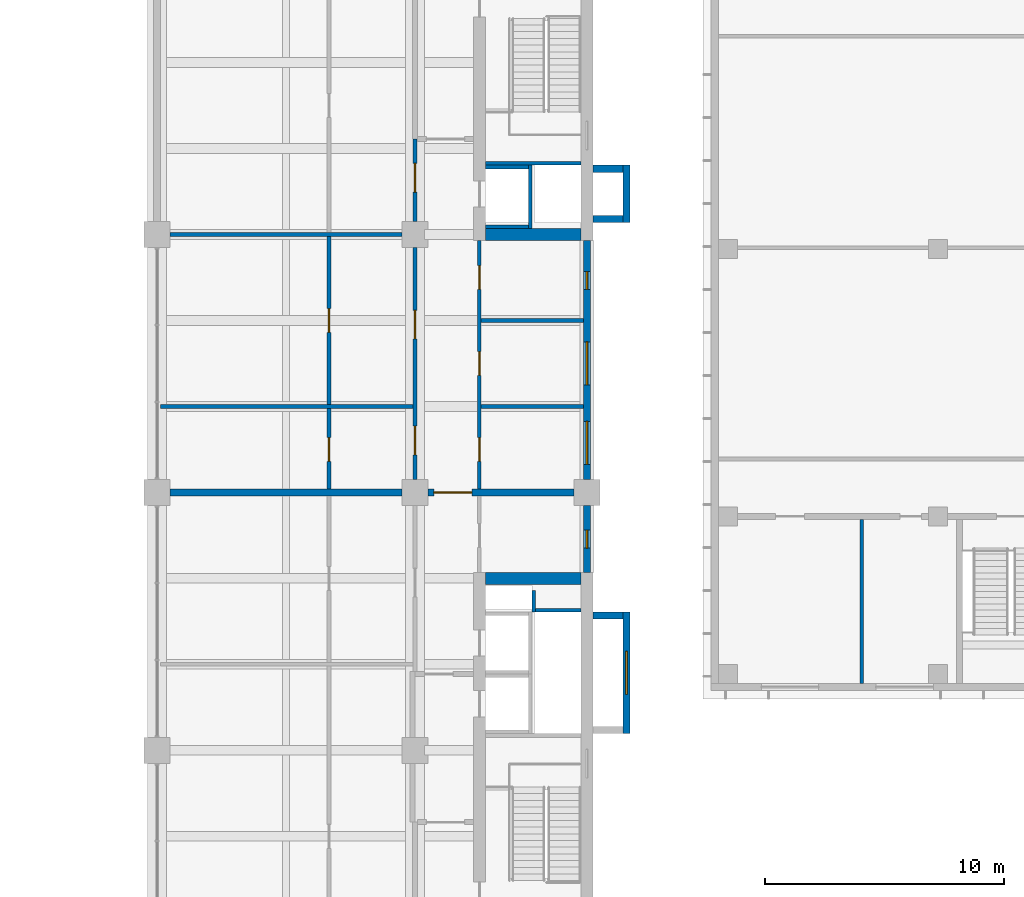
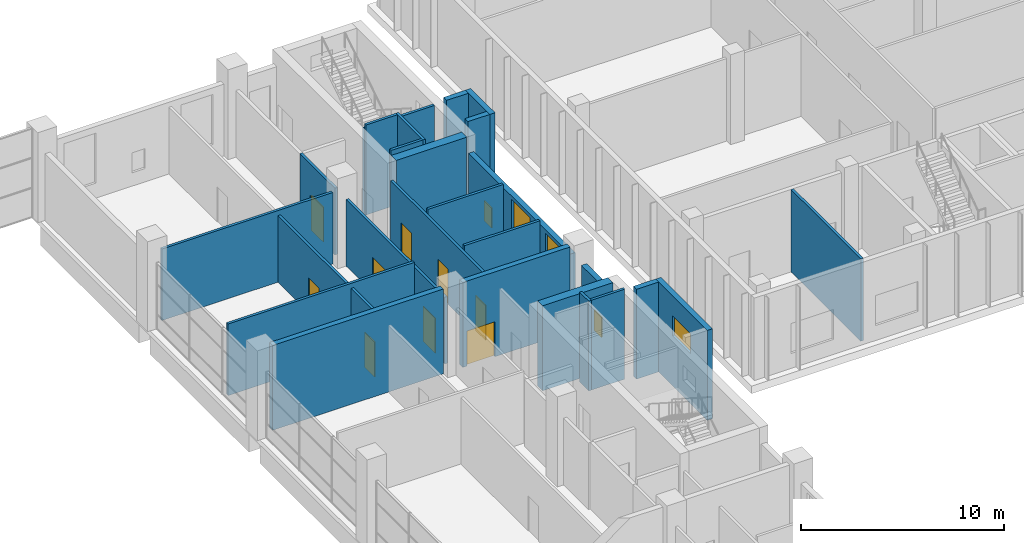
# One storey, part 23 of 33: 27 walls, 9 doors, 5 windows, 14 openings.
"""IFC4 building model written with IfcOpenShell, lengths in metres."""

from ifc_helpers import new_model, si_unit, direction, frame, frame_2d, origin, place, context, subcontext, project, spatial, rectangle, extrude, material, layer, layer_set, type_object, element, fill, save


model = new_model("IFC4")

# Units and contexts
model_context = context("Model", 3, precision=1e-05, world=origin(), true_north=direction((0.0, 1.0)))
body_context = subcontext(model_context, "Body", "Model", "MODEL_VIEW")
ifc_project = project(units=[si_unit("LENGTHUNIT", "METRE"), si_unit("AREAUNIT", "SQUARE_METRE"), si_unit("VOLUMEUNIT", "CUBIC_METRE"), si_unit("PLANEANGLEUNIT", "RADIAN"), si_unit("MASSUNIT", "GRAM", prefix="KILO")], contexts=[model_context])

# Site, building, storey
site_placement = place(None, origin())
site = spatial("IfcSite", under=ifc_project, at=site_placement, CompositionType="ELEMENT")
building_placement = place(site_placement, origin())
building = spatial("IfcBuilding", under=site, at=building_placement, Name="Basin Gate Institute", CompositionType="ELEMENT")
storey_placement = place(building_placement, frame((0.0, 0.0, 6.0)))
storey = spatial("IfcBuildingStorey", under=building, at=storey_placement, Name="L01", CompositionType="ELEMENT", Elevation=6.0)

# Wall
ifc_material_1 = material(Name="Gypsum board partition on steel studs, 60 minute", Category="steel")
ifc_layer_1 = layer(ifc_material_1, 0.14990234375)
ifc_layer_set_1 = layer_set([ifc_layer_1], Name="Gypsum board partition on steel studs, 60 minute")
wall_type_1 = type_object("IfcWallType", Name="Clean block partition PW72 EI 60", PredefinedType="SOLIDWALL", material=ifc_layer_set_1)
wall_1_placement = place(storey_placement, frame((130.300048828125, 70.300048828125, 0.0), z_axis=(0.0, 0.0, 1.0), x_axis=(0.0, 1.0, 0.0)))
element("IfcWall", 1, at=wall_1_placement, inside=storey, type_object=wall_type_1, material=ifc_layer_set_1, Name="Clean block partition Cy13030-13 L01", PredefinedType="SOLIDWALL", context=body_context, shape_type="SweptSolid", body=[
    extrude(rectangle(XDim=6.875, YDim=0.14990234375, at=frame_2d((3.4375, 0.0))), origin(), (0.0, 0.0, 1.0), 4.949951171875),
])

# Wall, opening, window
ifc_material_2 = material(Name="Aluminium-faced insulated panel wall", Category="aluminium")
ifc_layer_2 = layer(ifc_material_2, 0.300048828125)
ifc_layer_set_2 = layer_set([ifc_layer_2], Name="External wall EW1 EI 120")
wall_type_2 = type_object("IfcWallType", Name="External wall EW1 EI 120", PredefinedType="STANDARD", material=ifc_layer_set_2)
wall_2_placement = place(storey_placement, frame((118.800048828125, 74.949951171875, 0.0), z_axis=(0.0, 0.0, 1.0), x_axis=(0.0, 1.0, 0.0)))
wall_2 = element("IfcWall", 2, at=wall_2_placement, inside=storey, type_object=wall_type_2, material=ifc_layer_set_2, Name="External wall E facade L01 3", PredefinedType="STANDARD", context=body_context, shape_type="SweptSolid", body=[
    extrude(rectangle(XDim=2.800048828125, YDim=0.300048828125, at=frame_2d((1.39990234375, 0.0))), origin(), (0.0, 0.0, 1.0), 4.10009765625),
])
opening_1_placement = place(wall_2_placement, frame((1.02490234375, 0.0, 0.800048828125)))
opening_1 = element("IfcOpeningElement", 3, at=opening_1_placement, cuts=wall_2, Name="Opening WN3", PredefinedType="OPENING", context=body_context, shape_type="SweptSolid", body=[
    extrude(rectangle(XDim=0.75, YDim=1.199951171875, at=frame_2d((0.375, 0.60009765625))), frame((0.0, 0.16015625, 0.0), z_axis=(0.0, -1.0, 0.0), x_axis=(1.0, 0.0, 0.0)), (0.0, 0.0, 1.0), 0.320068359375),
])
ifc_material_3 = material(Name="Aluminium-framed double glazing", Category="aluminium")
window_type_1 = type_object("IfcWindowType", Name="Emergency entry panel WN3", PartitioningType="SINGLE_PANEL", PredefinedType="WINDOW", material=ifc_material_3)
window_1_placement = place(opening_1_placement, origin())
window_1 = element("IfcWindow", 4, at=window_1_placement, inside=storey, type_object=window_type_1, material=ifc_material_3, Name="Emergency entry panel E facade L01 bay 12", OverallHeight=1.199951171875, OverallWidth=0.75, PartitioningType="SINGLE_PANEL", PredefinedType="WINDOW", context=body_context, shape_type="SweptSolid", body=[
    extrude(rectangle(XDim=0.75, YDim=1.199951171875, at=frame_2d((0.375, 0.60009765625))), frame((0.0, 0.030029296875, 0.0), z_axis=(0.0, -1.0, 0.0), x_axis=(1.0, 0.0, 0.0)), (0.0, 0.0, 1.0), 0.06005859375),
])
fill(opening_1, window_1)

# Wall, openings, windows
wall_3_placement = place(storey_placement, frame((118.800048828125, 78.85009765625, 0.0), z_axis=(0.0, 0.0, 1.0), x_axis=(0.0, 1.0, 0.0)))
wall_3 = element("IfcWall", 5, at=wall_3_placement, inside=storey, type_object=wall_type_2, material=ifc_layer_set_2, Name="External wall E facade L01 4", PredefinedType="STANDARD", context=body_context, shape_type="SweptSolid", body=[
    extrude(rectangle(XDim=10.0, YDim=0.300048828125, at=frame_2d((5.0, 0.0))), origin(), (0.0, 0.0, 1.0), 4.10009765625),
])
opening_2_placement = place(wall_3_placement, frame((0.625, 0.0, 0.89990234375)))
opening_2 = element("IfcOpeningElement", 6, at=opening_2_placement, cuts=wall_3, Name="Opening WN2", PredefinedType="OPENING", context=body_context, shape_type="SweptSolid", body=[
    extrude(rectangle(XDim=1.800048828125, YDim=3.0, at=frame_2d((0.89990234375, 1.5))), frame((0.0, 0.16015625, 0.0), z_axis=(0.0, -1.0, 0.0), x_axis=(1.0, 0.0, 0.0)), (0.0, 0.0, 1.0), 0.320068359375),
])
opening_3_placement = place(wall_3_placement, frame((3.949951171875, 0.0, 0.89990234375)))
opening_3 = element("IfcOpeningElement", 7, at=opening_3_placement, cuts=wall_3, Name="Opening WN2", PredefinedType="OPENING", context=body_context, shape_type="SweptSolid", body=[
    extrude(rectangle(XDim=1.800048828125, YDim=3.0, at=frame_2d((0.89990234375, 1.5))), frame((0.0, 0.16015625, 0.0), z_axis=(0.0, -1.0, 0.0), x_axis=(1.0, 0.0, 0.0)), (0.0, 0.0, 1.0), 0.320068359375),
])
opening_4_placement = place(wall_3_placement, frame((7.949951171875, 0.0, 0.800048828125)))
opening_4 = element("IfcOpeningElement", 8, at=opening_4_placement, cuts=wall_3, Name="Opening WN3", PredefinedType="OPENING", context=body_context, shape_type="SweptSolid", body=[
    extrude(rectangle(XDim=0.75, YDim=1.199951171875, at=frame_2d((0.375, 0.60009765625))), frame((0.0, 0.16015625, 0.0), z_axis=(0.0, -1.0, 0.0), x_axis=(1.0, 0.0, 0.0)), (0.0, 0.0, 1.0), 0.320068359375),
])
window_2_placement = place(opening_4_placement, origin())
window_2 = element("IfcWindow", 9, at=window_2_placement, inside=storey, type_object=window_type_1, material=ifc_material_3, Name="Emergency entry panel E facade L01 bay 15", OverallHeight=1.199951171875, OverallWidth=0.75, PartitioningType="SINGLE_PANEL", PredefinedType="WINDOW", context=body_context, shape_type="SweptSolid", body=[
    extrude(rectangle(XDim=0.75, YDim=1.199951171875, at=frame_2d((0.375, 0.60009765625))), frame((0.0, 0.030029296875, 0.0), z_axis=(0.0, -1.0, 0.0), x_axis=(1.0, 0.0, 0.0)), (0.0, 0.0, 1.0), 0.06005859375),
])
fill(opening_4, window_2)
ifc_material_4 = material(Name="Aluminium-framed double glazing", Category="aluminium")
window_type_2 = type_object("IfcWindowType", Name="Podium window WN2", PartitioningType="SINGLE_PANEL", PredefinedType="WINDOW", material=ifc_material_4)
window_3_placement = place(opening_2_placement, origin())
window_3 = element("IfcWindow", 10, at=window_3_placement, inside=storey, type_object=window_type_2, material=ifc_material_4, Name="Podium window E facade L01 bay 13", OverallHeight=3.0, OverallWidth=1.800048828125, PartitioningType="SINGLE_PANEL", PredefinedType="WINDOW", context=body_context, shape_type="SweptSolid", body=[
    extrude(rectangle(XDim=1.800048828125, YDim=3.0, at=frame_2d((0.89990234375, 1.5))), frame((0.0, 0.030029296875, 0.0), z_axis=(0.0, -1.0, 0.0), x_axis=(1.0, 0.0, 0.0)), (0.0, 0.0, 1.0), 0.06005859375),
])
fill(opening_2, window_3)
window_4_placement = place(opening_3_placement, origin())
window_4 = element("IfcWindow", 11, at=window_4_placement, inside=storey, type_object=window_type_2, material=ifc_material_4, Name="Podium window E facade L01 bay 14", OverallHeight=3.0, OverallWidth=1.800048828125, PartitioningType="SINGLE_PANEL", PredefinedType="WINDOW", context=body_context, shape_type="SweptSolid", body=[
    extrude(rectangle(XDim=1.800048828125, YDim=3.0, at=frame_2d((0.89990234375, 1.5))), frame((0.0, 0.030029296875, 0.0), z_axis=(0.0, -1.0, 0.0), x_axis=(1.0, 0.0, 0.0)), (0.0, 0.0, 1.0), 0.06005859375),
])
fill(opening_3, window_4)

# Wall, openings, doors
ifc_material_5 = material(Name="Gypsum board on steel stud", Category="steel")
ifc_layer_3 = layer(ifc_material_5, 0.14990234375)
ifc_layer_set_3 = layer_set([ifc_layer_3], Name="Gypsum board on steel stud")
wall_type_3 = type_object("IfcWallType", Name="Partition PW1 150 EI 60", PredefinedType="PARTITIONING", material=ifc_layer_set_3)
wall_4_placement = place(storey_placement, frame((114.300048828125, 78.449951171875, 0.0), z_axis=(0.0, 0.0, 1.0), x_axis=(0.0, 1.0, 0.0)))
wall_4 = element("IfcWall", 12, at=wall_4_placement, inside=storey, type_object=wall_type_3, material=ifc_layer_set_3, Name="Corridor wall PW1 L01", PredefinedType="PARTITIONING", context=body_context, shape_type="SweptSolid", body=[
    extrude(rectangle(XDim=10.400146484375, YDim=0.14990234375, at=frame_2d((5.2001953125, 0.0))), origin(), (0.0, 0.0, 1.0), 4.0),
])
opening_5_placement = place(wall_4_placement, frame((8.35009765625, 0.0, 0.0)))
opening_5 = element("IfcOpeningElement", 13, at=opening_5_placement, cuts=wall_4, Name="Opening DR052", PredefinedType="OPENING", context=body_context, shape_type="SweptSolid", body=[
    extrude(rectangle(XDim=1.0, YDim=2.10009765625, at=frame_2d((0.5, 1.050048828125))), frame((0.0, 0.0849609375, 0.0), z_axis=(0.0, -1.0, 0.0), x_axis=(1.0, 0.0, 0.0)), (0.0, 0.0, 1.0), 0.169921875),
])
opening_6_placement = place(wall_4_placement, frame((1.14990234375, 0.0, 0.0)))
opening_6 = element("IfcOpeningElement", 14, at=opening_6_placement, cuts=wall_4, Name="Opening DR060", PredefinedType="OPENING", context=body_context, shape_type="SweptSolid", body=[
    extrude(rectangle(XDim=1.0, YDim=2.10009765625, at=frame_2d((0.5, 1.050048828125))), frame((0.0, 0.0849609375, 0.0), z_axis=(0.0, -1.0, 0.0), x_axis=(1.0, 0.0, 0.0)), (0.0, 0.0, 1.0), 0.169921875),
])
opening_7_placement = place(wall_4_placement, frame((4.75, 0.0, 0.0)))
opening_7 = element("IfcOpeningElement", 15, at=opening_7_placement, cuts=wall_4, Name="Opening DR064", PredefinedType="OPENING", context=body_context, shape_type="SweptSolid", body=[
    extrude(rectangle(XDim=1.0, YDim=2.10009765625, at=frame_2d((0.5, 1.050048828125))), frame((0.0, 0.0849609375, 0.0), z_axis=(0.0, -1.0, 0.0), x_axis=(1.0, 0.0, 0.0)), (0.0, 0.0, 1.0), 0.169921875),
])
ifc_material_6 = material(Name="Steel fire door", Category="steel")
door_type_1 = type_object("IfcDoorType", Name="FD30 Store door D4", OperationType="NOTDEFINED", PredefinedType="DOOR", material=ifc_material_6)
door_1_placement = place(opening_7_placement, frame((1.0, 0.0, 0.0), z_axis=(0.0, 0.0, 1.0), x_axis=(-1.0, 0.0, 0.0)))
door_1 = element("IfcDoor", 16, at=door_1_placement, inside=storey, type_object=door_type_1, material=ifc_material_6, Name="Door to Tea Point L01", OperationType="SINGLE_SWING_RIGHT", OverallHeight=2.10009765625, OverallWidth=1.0, PredefinedType="DOOR", context=body_context, shape_type="SweptSolid", body=[
    extrude(rectangle(XDim=1.0, YDim=2.10009765625, at=frame_2d((0.5, 1.050048828125))), frame((0.0, 0.02490234375, 0.0), z_axis=(0.0, -1.0, 0.0), x_axis=(1.0, 0.0, 0.0)), (0.0, 0.0, 1.0), 0.050048828125),
])
fill(opening_7, door_1)
ifc_material_7 = material(Name="Timber fire door", Category="wood")
door_type_2 = type_object("IfcDoorType", Name="FD30 Toilet door D3", OperationType="NOTDEFINED", PredefinedType="DOOR", material=ifc_material_7)
door_2_placement = place(opening_5_placement, frame((1.0, 0.0, 0.0), z_axis=(0.0, 0.0, 1.0), x_axis=(-1.0, 0.0, 0.0)))
door_2 = element("IfcDoor", 17, at=door_2_placement, inside=storey, type_object=door_type_2, material=ifc_material_7, Name="Door to Female WC L01", OperationType="SINGLE_SWING_LEFT", OverallHeight=2.10009765625, OverallWidth=1.0, PredefinedType="DOOR", context=body_context, shape_type="SweptSolid", body=[
    extrude(rectangle(XDim=1.0, YDim=2.10009765625, at=frame_2d((0.5, 1.050048828125))), frame((0.0, 0.02490234375, 0.0), z_axis=(0.0, -1.0, 0.0), x_axis=(1.0, 0.0, 0.0)), (0.0, 0.0, 1.0), 0.050048828125),
])
fill(opening_5, door_2)
door_3_placement = place(opening_6_placement, frame((1.0, 0.0, 0.0), z_axis=(0.0, 0.0, 1.0), x_axis=(-1.0, 0.0, 0.0)))
door_3 = element("IfcDoor", 18, at=door_3_placement, inside=storey, type_object=door_type_2, material=ifc_material_7, Name="Door to Male WC L01", OperationType="SINGLE_SWING_RIGHT", OverallHeight=2.10009765625, OverallWidth=1.0, PredefinedType="DOOR", context=body_context, shape_type="SweptSolid", body=[
    extrude(rectangle(XDim=1.0, YDim=2.10009765625, at=frame_2d((0.5, 1.050048828125))), frame((0.0, 0.02490234375, 0.0), z_axis=(0.0, -1.0, 0.0), x_axis=(1.0, 0.0, 0.0)), (0.0, 0.0, 1.0), 0.050048828125),
])
fill(opening_6, door_3)

wall_5_placement = place(storey_placement, frame((111.60009765625, 78.85009765625, 0.0), z_axis=(0.0, 0.0, 1.0), x_axis=(0.0, 1.0, 0.0)))
wall_5 = element("IfcWall", 19, at=wall_5_placement, inside=storey, type_object=wall_type_3, material=ifc_layer_set_3, Name="Laboratory corridor wall PW1 L01", PredefinedType="PARTITIONING", context=body_context, shape_type="SweptSolid", body=[
    extrude(rectangle(XDim=9.699951171875, YDim=0.14990234375, at=frame_2d((4.85009765625, 0.0))), origin(), (0.0, 0.0, 1.0), 4.0),
])
opening_8_placement = place(wall_5_placement, frame((1.02490234375, 0.0, 0.0)))
opening_8 = element("IfcOpeningElement", 20, at=opening_8_placement, cuts=wall_5, Name="Opening DR057", PredefinedType="OPENING", context=body_context, shape_type="SweptSolid", body=[
    extrude(rectangle(XDim=1.199951171875, YDim=2.10009765625, at=frame_2d((0.60009765625, 1.050048828125))), frame((0.0, 0.0849609375, 0.0), z_axis=(0.0, -1.0, 0.0), x_axis=(1.0, 0.0, 0.0)), (0.0, 0.0, 1.0), 0.169921875),
])
opening_9_placement = place(wall_5_placement, frame((5.875, 0.0, 0.0)))
opening_9 = element("IfcOpeningElement", 21, at=opening_9_placement, cuts=wall_5, Name="Opening DR058", PredefinedType="OPENING", context=body_context, shape_type="SweptSolid", body=[
    extrude(rectangle(XDim=1.199951171875, YDim=2.10009765625, at=frame_2d((0.60009765625, 1.050048828125))), frame((0.0, 0.0849609375, 0.0), z_axis=(0.0, -1.0, 0.0), x_axis=(1.0, 0.0, 0.0)), (0.0, 0.0, 1.0), 0.169921875),
])
ifc_material_8 = material(Name="Timber fire door", Category="wood")
door_type_3 = type_object("IfcDoorType", Name="FD30 Laboratory door D2", OperationType="DOUBLE_DOOR_SINGLE_SWING", PredefinedType="DOOR", material=ifc_material_8)
door_4_placement = place(opening_8_placement, origin())
door_4 = element("IfcDoor", 22, at=door_4_placement, inside=storey, type_object=door_type_3, material=ifc_material_8, Name="Door to Gowning Airlock 0174 L01", OperationType="DOUBLE_DOOR_SINGLE_SWING", OverallHeight=2.10009765625, OverallWidth=1.199951171875, PredefinedType="DOOR", context=body_context, shape_type="SweptSolid", body=[
    extrude(rectangle(XDim=1.199951171875, YDim=2.10009765625, at=frame_2d((0.60009765625, 1.050048828125))), frame((0.0, 0.02490234375, 0.0), z_axis=(0.0, -1.0, 0.0), x_axis=(1.0, 0.0, 0.0)), (0.0, 0.0, 1.0), 0.050048828125),
])
fill(opening_8, door_4)
door_5_placement = place(opening_9_placement, origin())
door_5 = element("IfcDoor", 23, at=door_5_placement, inside=storey, type_object=door_type_3, material=ifc_material_8, Name="Door to Gowning Airlock 0176 L01", OperationType="DOUBLE_DOOR_SINGLE_SWING", OverallHeight=2.10009765625, OverallWidth=1.199951171875, PredefinedType="DOOR", context=body_context, shape_type="SweptSolid", body=[
    extrude(rectangle(XDim=1.199951171875, YDim=2.10009765625, at=frame_2d((0.60009765625, 1.050048828125))), frame((0.0, 0.02490234375, 0.0), z_axis=(0.0, -1.0, 0.0), x_axis=(1.0, 0.0, 0.0)), (0.0, 0.0, 1.0), 0.050048828125),
])
fill(opening_9, door_5)

# Wall, opening, door
wall_6_placement = place(storey_placement, frame((111.60009765625, 89.64990234375, 0.0), z_axis=(0.0, 0.0, 1.0), x_axis=(0.0, 1.0, 0.0)))
wall_6 = element("IfcWall", 24, at=wall_6_placement, inside=storey, type_object=wall_type_3, material=ifc_layer_set_3, Name="Laboratory corridor wall PW1 L01", PredefinedType="PARTITIONING", context=body_context, shape_type="SweptSolid", body=[
    extrude(rectangle(XDim=3.4501953125, YDim=0.14990234375, at=frame_2d((1.72509765625, 0.0))), origin(), (0.0, 0.0, 1.0), 4.0),
])
opening_10_placement = place(wall_6_placement, frame((1.22509765625, 0.0, 0.0)))
opening_10 = element("IfcOpeningElement", 25, at=opening_10_placement, cuts=wall_6, Name="Opening DR059", PredefinedType="OPENING", context=body_context, shape_type="SweptSolid", body=[
    extrude(rectangle(XDim=1.199951171875, YDim=2.10009765625, at=frame_2d((0.60009765625, 1.050048828125))), frame((0.0, 0.0849609375, 0.0), z_axis=(0.0, -1.0, 0.0), x_axis=(1.0, 0.0, 0.0)), (0.0, 0.0, 1.0), 0.169921875),
])
door_6_placement = place(opening_10_placement, origin())
door_6 = element("IfcDoor", 26, at=door_6_placement, inside=storey, type_object=door_type_3, material=ifc_material_8, Name="Door to Gowning Airlock 0178 L01", OperationType="DOUBLE_DOOR_SINGLE_SWING", OverallHeight=2.10009765625, OverallWidth=1.199951171875, PredefinedType="DOOR", context=body_context, shape_type="SweptSolid", body=[
    extrude(rectangle(XDim=1.199951171875, YDim=2.10009765625, at=frame_2d((0.60009765625, 1.050048828125))), frame((0.0, 0.02490234375, 0.0), z_axis=(0.0, -1.0, 0.0), x_axis=(1.0, 0.0, 0.0)), (0.0, 0.0, 1.0), 0.050048828125),
])
fill(opening_10, door_6)

wall_7_placement = place(storey_placement, frame((108.0, 78.449951171875, 0.0), z_axis=(0.0, 0.0, 1.0), x_axis=(0.0, 1.0, 0.0)))
wall_7 = element("IfcWall", 27, at=wall_7_placement, inside=storey, type_object=wall_type_3, material=ifc_layer_set_3, Name="Clean room wall PW1 L01", PredefinedType="PARTITIONING", context=body_context, shape_type="SweptSolid", body=[
    extrude(rectangle(XDim=3.375, YDim=0.14990234375, at=frame_2d((1.6875, 0.0))), origin(), (0.0, 0.0, 1.0), 4.0),
])
opening_11_placement = place(wall_7_placement, frame((1.14990234375, 0.0, 0.0)))
opening_11 = element("IfcOpeningElement", 28, at=opening_11_placement, cuts=wall_7, Name="Opening DR046", PredefinedType="OPENING", context=body_context, shape_type="SweptSolid", body=[
    extrude(rectangle(XDim=1.0, YDim=2.10009765625, at=frame_2d((0.5, 1.050048828125))), frame((0.0, 0.0849609375, 0.0), z_axis=(0.0, -1.0, 0.0), x_axis=(1.0, 0.0, 0.0)), (0.0, 0.0, 1.0), 0.169921875),
])
ifc_material_9 = material(Name="Steel fire door", Category="steel")
door_type_4 = type_object("IfcDoorType", Name="FD30 Airlock door D5", OperationType="NOTDEFINED", PredefinedType="DOOR", material=ifc_material_9)
door_7_placement = place(opening_11_placement, origin())
door_7 = element("IfcDoor", 29, at=door_7_placement, inside=storey, type_object=door_type_4, material=ifc_material_9, Name="Clean room entry door Clean Room ISO 6 0174 L01", OperationType="SINGLE_SWING_LEFT", OverallHeight=2.10009765625, OverallWidth=1.0, PredefinedType="DOOR", context=body_context, shape_type="SweptSolid", body=[
    extrude(rectangle(XDim=1.0, YDim=2.10009765625, at=frame_2d((0.5, 1.050048828125))), frame((0.0, 0.02490234375, 0.0), z_axis=(0.0, -1.0, 0.0), x_axis=(1.0, 0.0, 0.0)), (0.0, 0.0, 1.0), 0.050048828125),
])
fill(opening_11, door_7)

wall_8_placement = place(storey_placement, frame((108.0, 81.97509765625, 0.0), z_axis=(0.0, 0.0, 1.0), x_axis=(0.0, 1.0, 0.0)))
wall_8 = element("IfcWall", 30, at=wall_8_placement, inside=storey, type_object=wall_type_3, material=ifc_layer_set_3, Name="Clean room wall PW1 L01", PredefinedType="PARTITIONING", context=body_context, shape_type="SweptSolid", body=[
    extrude(rectangle(XDim=7.0498046875, YDim=0.14990234375, at=frame_2d((3.52490234375, 0.0))), origin(), (0.0, 0.0, 1.0), 4.0),
])
opening_12_placement = place(wall_8_placement, frame((3.02490234375, 0.0, 0.0)))
opening_12 = element("IfcOpeningElement", 31, at=opening_12_placement, cuts=wall_8, Name="Opening DR050", PredefinedType="OPENING", context=body_context, shape_type="SweptSolid", body=[
    extrude(rectangle(XDim=1.0, YDim=2.10009765625, at=frame_2d((0.5, 1.050048828125))), frame((0.0, 0.0849609375, 0.0), z_axis=(0.0, -1.0, 0.0), x_axis=(1.0, 0.0, 0.0)), (0.0, 0.0, 1.0), 0.169921875),
])
door_8_placement = place(opening_12_placement, origin())
door_8 = element("IfcDoor", 32, at=door_8_placement, inside=storey, type_object=door_type_4, material=ifc_material_9, Name="Clean room entry door Clean Room ISO 7 0176 L01", OperationType="SINGLE_SWING_LEFT", OverallHeight=2.10009765625, OverallWidth=1.0, PredefinedType="DOOR", context=body_context, shape_type="SweptSolid", body=[
    extrude(rectangle(XDim=1.0, YDim=2.10009765625, at=frame_2d((0.5, 1.050048828125))), frame((0.0, 0.02490234375, 0.0), z_axis=(0.0, -1.0, 0.0), x_axis=(1.0, 0.0, 0.0)), (0.0, 0.0, 1.0), 0.050048828125),
])
fill(opening_12, door_8)

# Walls
wall_9_placement = place(storey_placement, frame((111.52490234375, 81.89990234375, 0.0), z_axis=(0.0, 0.0, 1.0), x_axis=(-1.0, 0.0, 0.0)))
element("IfcWall", 33, at=wall_9_placement, inside=storey, type_object=wall_type_3, material=ifc_layer_set_3, Name="Clean room wall PW1 L01", PredefinedType="PARTITIONING", context=body_context, shape_type="SweptSolid", body=[
    extrude(rectangle(XDim=10.574951171875, YDim=0.14990234375, at=frame_2d((5.28759765625, 0.0))), origin(), (0.0, 0.0, 1.0), 4.300048828125),
])
wall_10_placement = place(storey_placement, frame((111.050048828125, 89.10009765625, 0.0), z_axis=(0.0, 0.0, 1.0), x_axis=(-1.0, 0.0, 0.0)))
element("IfcWall", 34, at=wall_10_placement, inside=storey, type_object=wall_type_3, material=ifc_layer_set_3, Name="Clean room wall PW1 L01", PredefinedType="PARTITIONING", context=body_context, shape_type="SweptSolid", body=[
    extrude(rectangle(XDim=9.699951171875, YDim=0.14990234375, at=frame_2d((4.85009765625, 0.0))), origin(), (0.0, 0.0, 1.0), 4.300048828125),
])
ifc_material_10 = material(Name="Gypsum board on steel stud", Category="steel")
ifc_layer_4 = layer(ifc_material_10, 0.14990234375)
ifc_layer_set_4 = layer_set([ifc_layer_4], Name="Gypsum board on steel stud")
wall_type_4 = type_object("IfcWallType", Name="Partition PW4 150", PredefinedType="PARTITIONING", material=ifc_layer_set_4)
for number, where, z_axis, x_axis, name in (
    (35, (118.64990234375, 81.89990234375, 0.0), (0.0, 0.0, 1.0), (-1.0, 0.0, 0.0), "Toilet partition PW4 L01"),
    (36, (118.64990234375, 85.5, 0.0), (0.0, 0.0, 1.0), (-1.0, 0.0, 0.0), "Toilet partition PW4 L01"),
):
    element("IfcWall", number, at=place(storey_placement, frame(where, z_axis=z_axis, x_axis=x_axis)), inside=storey, type_object=wall_type_4, material=ifc_layer_set_4, Name=name, PredefinedType="PARTITIONING", context=body_context, shape_type="SweptSolid", body=[
        extrude(rectangle(XDim=4.27490234375, YDim=0.14990234375, at=frame_2d((2.137451171875, 0.0))), origin(), (0.0, 0.0, 1.0), 4.300048828125),
    ])
ifc_material_11 = material(Name="Concrete 40 MPa", Category="concrete")
ifc_layer_5 = layer(ifc_material_11, 0.14990234375)
ifc_layer_set_5 = layer_set([ifc_layer_5], Name="Concrete 40 MPa")
wall_type_5 = type_object("IfcWallType", Name="Wall LS1 lift shaft enclosure R180", PredefinedType="SOLIDWALL", material=ifc_layer_set_5)
wall_11_placement = place(storey_placement, frame((116.425048828125, 92.0, 0.0), z_axis=(0.0, 0.0, 1.0), x_axis=(0.0, -1.0, 0.0)))
element("IfcWall", 37, at=wall_11_placement, inside=storey, type_object=wall_type_5, material=ifc_layer_set_5, Name="Lift shaft enclosure LP6 L01 UL", PredefinedType="SOLIDWALL", context=body_context, shape_type="SweptSolid", body=[
    extrude(rectangle(XDim=2.64990234375, YDim=0.14990234375, at=frame_2d((1.324951171875, 0.0))), origin(), (0.0, 0.0, 1.0), 5.39990234375),
])
for number, where, z_axis, x_axis, name in (
    (38, (116.35009765625, 91.925048828125, 0.0), (0.0, 0.0, 1.0), (-1.0, 0.0, 0.0), "Lift shaft enclosure LP6 L01 RL"),
    (39, (116.35009765625, 89.425048828125, 0.0), (0.0, 0.0, 1.0), (-1.0, 0.0, 0.0), "Lift shaft enclosure LP6 L01 RH"),
):
    element("IfcWall", number, at=place(storey_placement, frame(where, z_axis=z_axis, x_axis=x_axis)), inside=storey, type_object=wall_type_5, material=ifc_layer_set_5, Name=name, PredefinedType="SOLIDWALL", context=body_context, shape_type="SweptSolid", body=[
        extrude(rectangle(XDim=1.800048828125, YDim=0.14990234375, at=frame_2d((0.89990234375, 0.0))), origin(), (0.0, 0.0, 1.0), 5.39990234375),
    ])
ifc_material_12 = material(Name="Concrete 40 MPa", Category="concrete")
ifc_layer_6 = layer(ifc_material_12, 0.14990234375)
ifc_layer_set_6 = layer_set([ifc_layer_6], Name="Concrete 40 MPa")
wall_type_6 = type_object("IfcWallType", Name="Wall RS1 riser shaft enclosure R180", PredefinedType="SOLIDWALL", material=ifc_layer_set_6)
wall_12_placement = place(storey_placement, frame((118.550048828125, 73.375, 0.0), z_axis=(0.0, 0.0, 1.0), x_axis=(-1.0, 0.0, 0.0)))
element("IfcWall", 40, at=wall_12_placement, inside=storey, type_object=wall_type_6, material=ifc_layer_set_6, Name="Riser shaft enclosure EM L01 N", PredefinedType="SOLIDWALL", context=body_context, shape_type="SweptSolid", body=[
    extrude(rectangle(XDim=1.900146484375, YDim=0.14990234375, at=frame_2d((0.9501953125, 0.0))), origin(), (0.0, 0.0, 1.0), 5.39990234375),
])
wall_13_placement = place(storey_placement, frame((116.574951171875, 73.300048828125, 0.0), z_axis=(0.0, 0.0, 1.0), x_axis=(0.0, 1.0, 0.0)))
element("IfcWall", 41, at=wall_13_placement, inside=storey, type_object=wall_type_6, material=ifc_layer_set_6, Name="Riser shaft enclosure EM L01 W", PredefinedType="SOLIDWALL", context=body_context, shape_type="SweptSolid", body=[
    extrude(rectangle(XDim=0.89990234375, YDim=0.14990234375, at=frame_2d((0.449951171875, 0.0))), origin(), (0.0, 0.0, 1.0), 5.39990234375),
])
ifc_material_13 = material(Name="Concrete 40 MPa", Category="concrete")
ifc_layer_7 = layer(ifc_material_13, 0.14990234375)
ifc_layer_set_7 = layer_set([ifc_layer_7], Name="Concrete 40 MPa")
wall_type_7 = type_object("IfcWallType", Name="Wall SE1 stair enclosure R180", PredefinedType="SOLIDWALL", material=ifc_layer_set_7)
wall_14_placement = place(storey_placement, frame((118.550048828125, 92.074951171875, 0.0), z_axis=(0.0, 0.0, 1.0), x_axis=(-1.0, 0.0, 0.0)))
element("IfcWall", 42, at=wall_14_placement, inside=storey, type_object=wall_type_7, material=ifc_layer_set_7, Name="Stair enclosure wall ST-EN L01", PredefinedType="SOLIDWALL", context=body_context, shape_type="SweptSolid", body=[
    extrude(rectangle(XDim=4.0, YDim=0.14990234375, at=frame_2d((2.0, 0.0))), origin(), (0.0, 0.0, 1.0), 5.10009765625),
])

# Wall, opening, window
ifc_material_14 = material(Name="Concrete 50 MPa", Category="concrete")
ifc_layer_8 = layer(ifc_material_14, 0.300048828125)
ifc_layer_set_8 = layer_set([ifc_layer_8], Name="Concrete 50 MPa")
wall_type_8 = type_object("IfcWallType", Name="Wall SK1 R180", PredefinedType="SHEAR", material=ifc_layer_set_8)
wall_15_placement = place(storey_placement, frame((120.449951171875, 68.199951171875, 0.0), z_axis=(0.0, 0.0, 1.0), x_axis=(0.0, 1.0, 0.0)))
wall_15 = element("IfcWall", 43, at=wall_15_placement, inside=storey, type_object=wall_type_8, material=ifc_layer_set_8, Name="Spine riser stack wall SK1 EM F L01", PredefinedType="SHEAR", context=body_context, shape_type="SweptSolid", body=[
    extrude(rectangle(XDim=5.10009765625, YDim=0.300048828125, at=frame_2d((2.550048828125, 0.0))), origin(), (0.0, 0.0, 1.0), 5.39990234375),
])
opening_13_placement = place(wall_15_placement, frame((1.64990234375, 0.0, 3.0)))
opening_13 = element("IfcOpeningElement", 44, at=opening_13_placement, cuts=wall_15, Name="Opening WL1", PredefinedType="OPENING", context=body_context, shape_type="SweptSolid", body=[
    extrude(rectangle(XDim=1.800048828125, YDim=1.199951171875, at=frame_2d((0.89990234375, 0.60009765625))), frame((0.0, 0.16015625, 0.0), z_axis=(0.0, -1.0, 0.0), x_axis=(1.0, 0.0, 0.0)), (0.0, 0.0, 1.0), 0.320068359375),
])
ifc_material_15 = material(Name="Aluminium louvre blades with fire damper", Category="aluminium")
window_type_3 = type_object("IfcWindowType", Name="Riser louvre EI 180 WL1", PartitioningType="SINGLE_PANEL", PredefinedType="WINDOW", material=ifc_material_15)
window_5_placement = place(opening_13_placement, origin())
window_5 = element("IfcWindow", 45, at=window_5_placement, inside=storey, type_object=window_type_3, material=ifc_material_15, Name="Riser louvre EI 180 EM riser 1 L01", OverallHeight=1.199951171875, OverallWidth=1.800048828125, PartitioningType="SINGLE_PANEL", PredefinedType="WINDOW", context=body_context, shape_type="SweptSolid", body=[
    extrude(rectangle(XDim=1.800048828125, YDim=1.199951171875, at=frame_2d((0.89990234375, 0.60009765625))), frame((0.0, 0.030029296875, 0.0), z_axis=(0.0, -1.0, 0.0), x_axis=(1.0, 0.0, 0.0)), (0.0, 0.0, 1.0), 0.06005859375),
])
fill(opening_13, window_5)

# Walls
wall_16_placement = place(storey_placement, frame((119.050048828125, 73.14990234375, 0.0), z_axis=(0.0, 0.0, 1.0), x_axis=(1.0, 0.0, 0.0)))
element("IfcWall", 46, at=wall_16_placement, inside=storey, type_object=wall_type_8, material=ifc_layer_set_8, Name="Spine riser stack wall SK1 EM B L01", PredefinedType="SHEAR", context=body_context, shape_type="SweptSolid", body=[
    extrude(rectangle(XDim=1.25, YDim=0.300048828125, at=frame_2d((0.625, 0.0))), origin(), (0.0, 0.0, 1.0), 5.39990234375),
])
wall_17_placement = place(storey_placement, frame((120.449951171875, 89.60009765625, 0.0), z_axis=(0.0, 0.0, 1.0), x_axis=(0.0, 1.0, 0.0)))
element("IfcWall", 47, at=wall_17_placement, inside=storey, type_object=wall_type_8, material=ifc_layer_set_8, Name="Spine riser stack wall SK1 EN F L01", PredefinedType="SHEAR", context=body_context, shape_type="SweptSolid", body=[
    extrude(rectangle(XDim=2.39990234375, YDim=0.300048828125, at=frame_2d((1.199951171875, 0.0))), origin(), (0.0, 0.0, 1.0), 5.39990234375),
])
for number, where, z_axis, x_axis, name in (
    (48, (119.050048828125, 89.75, 0.0), (0.0, 0.0, 1.0), (1.0, 0.0, 0.0), "Spine riser stack wall SK1 EN A L01"),
    (49, (119.050048828125, 91.85009765625, 0.0), (0.0, 0.0, 1.0), (1.0, 0.0, 0.0), "Spine riser stack wall SK1 EN B L01"),
):
    element("IfcWall", number, at=place(storey_placement, frame(where, z_axis=z_axis, x_axis=x_axis)), inside=storey, type_object=wall_type_8, material=ifc_layer_set_8, Name=name, PredefinedType="SHEAR", context=body_context, shape_type="SweptSolid", body=[
        extrude(rectangle(XDim=1.25, YDim=0.300048828125, at=frame_2d((0.625, 0.0))), origin(), (0.0, 0.0, 1.0), 5.39990234375),
    ])
ifc_material_16 = material(Name="Concrete 60 MPa", Category="concrete")
ifc_layer_9 = layer(ifc_material_16, 0.5)
ifc_layer_set_9 = layer_set([ifc_layer_9], Name="Concrete 60 MPa")
wall_type_9 = type_object("IfcWallType", Name="Wall SW1 R180", PredefinedType="SHEAR", material=ifc_layer_set_9)
for number, where, z_axis, x_axis, name in (
    (50, (118.550048828125, 74.699951171875, 0.0), (0.0, 0.0, 1.0), (-1.0, 0.0, 0.0), "WALL/L01/EM/N"),
    (51, (118.550048828125, 89.10009765625, 0.0), (0.0, 0.0, 1.0), (-1.0, 0.0, 0.0), "WALL/L01/EN/S"),
):
    element("IfcWall", number, at=place(storey_placement, frame(where, z_axis=z_axis, x_axis=x_axis)), inside=storey, type_object=wall_type_9, material=ifc_layer_set_9, Name=name, PredefinedType="SHEAR", context=body_context, shape_type="SweptSolid", body=[
        extrude(rectangle(XDim=4.0, YDim=0.5, at=frame_2d((2.0, 0.0))), origin(), (0.0, 0.0, 1.0), 5.10009765625),
    ])

# Wall, opening, door
ifc_material_17 = material(Name="Concrete 50 MPa", Category="concrete")
ifc_layer_10 = layer(ifc_material_17, 0.300048828125)
ifc_layer_set_10 = layer_set([ifc_layer_10], Name="Concrete 50 MPa")
wall_type_10 = type_object("IfcWallType", Name="Wall XW1 R180", PredefinedType="SHEAR", material=ifc_layer_set_10)
wall_18_placement = place(storey_placement, frame((118.25, 78.300048828125, 0.0), z_axis=(0.0, 0.0, 1.0), x_axis=(-1.0, 0.0, 0.0)))
wall_18 = element("IfcWall", 52, at=wall_18_placement, inside=storey, type_object=wall_type_10, material=ifc_layer_set_10, Name="WALL/L01/EXE/1", PredefinedType="SHEAR", context=body_context, shape_type="SweptSolid", body=[
    extrude(rectangle(XDim=6.10009765625, YDim=0.300048828125, at=frame_2d((3.050048828125, 0.0))), origin(), (0.0, 0.0, 1.0), 5.10009765625),
])
opening_14_placement = place(wall_18_placement, frame((4.262451171875, 0.0, 0.0)))
opening_14 = element("IfcOpeningElement", 53, at=opening_14_placement, cuts=wall_18, Name="Opening DR072", PredefinedType="OPENING", context=body_context, shape_type="SweptSolid", body=[
    extrude(rectangle(XDim=1.60009765625, YDim=2.10009765625, at=frame_2d((0.800048828125, 1.050048828125))), frame((0.0, 0.16015625, 0.0), z_axis=(0.0, -1.0, 0.0), x_axis=(1.0, 0.0, 0.0)), (0.0, 0.0, 1.0), 0.320068359375),
])
ifc_material_18 = material(Name="Steel fire door", Category="steel")
door_type_5 = type_object("IfcDoorType", Name="FD60 Compartment door pair D7", OperationType="DOUBLE_DOOR_SINGLE_SWING", PredefinedType="DOOR", material=ifc_material_18)
door_9_placement = place(opening_14_placement, origin())
door_9 = element("IfcDoor", 54, at=door_9_placement, inside=storey, type_object=door_type_5, material=ifc_material_18, Name="Compartment door pair L01 E2 L01", OperationType="DOUBLE_DOOR_SINGLE_SWING", OverallHeight=2.10009765625, OverallWidth=1.60009765625, PredefinedType="DOOR", context=body_context, shape_type="SweptSolid", body=[
    extrude(rectangle(XDim=1.60009765625, YDim=2.10009765625, at=frame_2d((0.800048828125, 1.050048828125))), frame((0.0, 0.02490234375, 0.0), z_axis=(0.0, -1.0, 0.0), x_axis=(1.0, 0.0, 0.0)), (0.0, 0.0, 1.0), 0.050048828125),
])
fill(opening_14, door_9)

# Wall
wall_19_placement = place(storey_placement, frame((111.050048828125, 78.300048828125, 0.0), z_axis=(0.0, 0.0, 1.0), x_axis=(-1.0, 0.0, 0.0)))
element("IfcWall", 55, at=wall_19_placement, inside=storey, type_object=wall_type_10, material=ifc_layer_set_10, Name="WALL/L01/EXE/2", PredefinedType="SHEAR", context=body_context, shape_type="SweptSolid", body=[
    extrude(rectangle(XDim=9.699951171875, YDim=0.300048828125, at=frame_2d((4.85009765625, 0.0))), origin(), (0.0, 0.0, 1.0), 5.10009765625),
])

save(model, "model.ifc")
